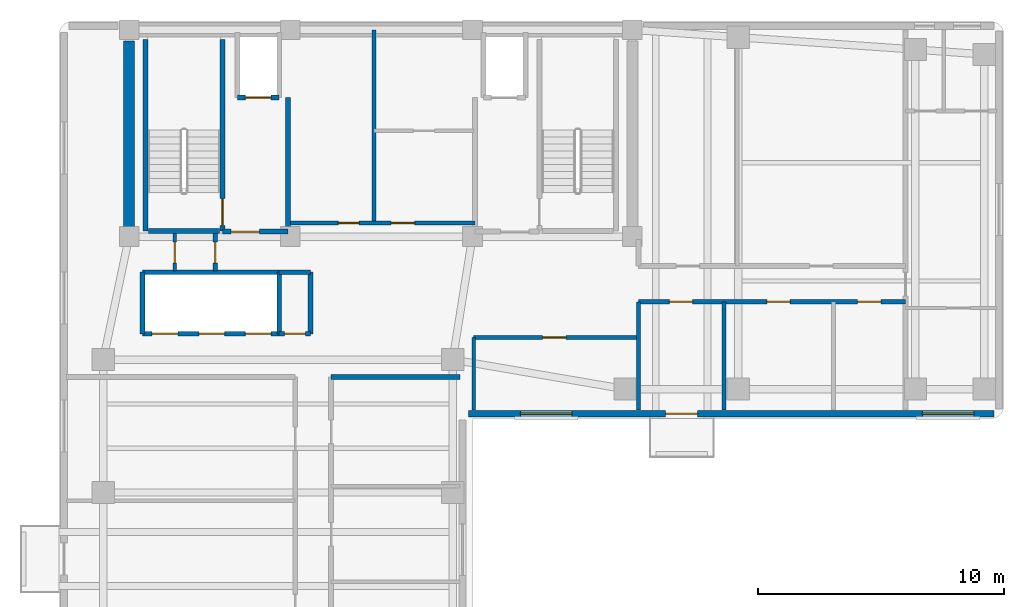
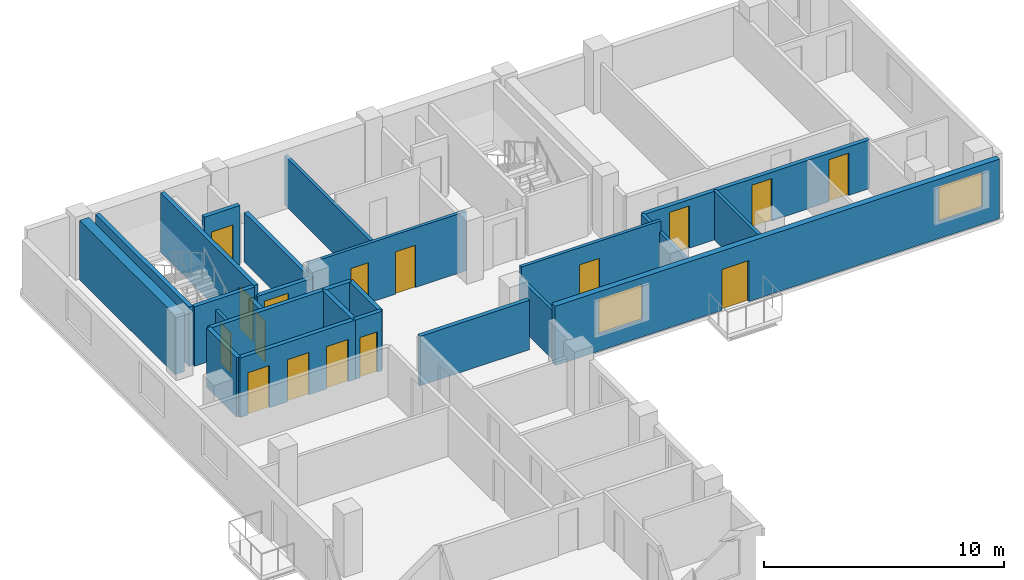
# One storey, part 3 of 7: 25 walls, 16 doors, 2 windows, 18 openings.
"""IFC4 building model written with IfcOpenShell, lengths in metres."""

import ifcopenshell
import ifcopenshell.guid

model = None  # the IFC model being written
_history = None  # IfcOwnerHistory: only IFC2X3 demands one
_inside = {}  # id of a spatial element -> (the spatial element, [elements in it])
_under = {}  # id of a project, library or spatial element -> (it, [spatial elements below it])
_declared = {}  # id of a project -> (the project, [libraries it declares])
_typed = {}  # id of a type object -> (the type object, [elements of that type])
_made_of = {}  # id of a material, layer set ... -> (it, [elements and type objects made of it])


def new_model(schema):
    """Start an empty IFC model of exactly this schema.

    Asked for "IFC4X3", IfcOpenShell would pick the latest addendum, in which some entities
    have other attributes; the version numbers below select the first issue.
    IFC2X3 requires an IfcOwnerHistory on every rooted entity: one is made here for all.
    """
    global model, _history
    if schema == "IFC4X3":
        model = ifcopenshell.file(schema_version=(4, 3, 0, 0))
    else:
        model = ifcopenshell.file(schema=schema)
    _inside.clear()
    _under.clear()
    _declared.clear()
    _typed.clear()
    _made_of.clear()
    _history = None
    if model.schema == "IFC2X3":
        org = make("IfcOrganization", Name="unknown")
        user = make(
            "IfcPersonAndOrganization",
            ThePerson=make("IfcPerson", FamilyName="unknown"),
            TheOrganization=org,
        )
        app = make(
            "IfcApplication",
            ApplicationDeveloper=org,
            Version="unknown",
            ApplicationFullName="unknown",
            ApplicationIdentifier="unknown",
        )
        _history = make(
            "IfcOwnerHistory",
            OwningUser=user,
            OwningApplication=app,
            ChangeAction="ADDED",
            CreationDate=0,
        )
    return model


def make(cls, **values):
    """One entity of the class cls with the attributes given. An attribute that is None is left unset."""
    return model.create_entity(
        cls, **{name: value for name, value in values.items() if value is not None}
    )


def rooted(cls, **values):
    """An entity with a GlobalId (a new one), such as an element, a storey or a relation."""
    return make(cls, GlobalId=ifcopenshell.guid.new(), OwnerHistory=_history, **values)


def si_unit(unit_type, name, prefix=None):
    """IfcSIUnit, for example si_unit("LENGTHUNIT", "METRE", prefix="MILLI")."""
    return make("IfcSIUnit", UnitType=unit_type, Prefix=prefix, Name=name)


def assignment(units):
    """IfcUnitAssignment: the units of a project."""
    return None if units is None else make("IfcUnitAssignment", Units=units)


def point(xyz):
    """IfcCartesianPoint."""
    return None if xyz is None else make("IfcCartesianPoint", Coordinates=xyz)


def direction(xyz):
    """IfcDirection."""
    return None if xyz is None else make("IfcDirection", DirectionRatios=xyz)


def frame(location, z_axis=None, x_axis=None):
    """IfcAxis2Placement3D, a coordinate frame: its origin and axes. An axis left out is left unset."""
    return make(
        "IfcAxis2Placement3D",
        Location=point(location),
        Axis=direction(z_axis),
        RefDirection=direction(x_axis),
    )


def frame_2d(location, x_axis=None):
    """IfcAxis2Placement2D, a coordinate frame in the plane: its origin and x axis."""
    return make(
        "IfcAxis2Placement2D", Location=point(location), RefDirection=direction(x_axis)
    )


def origin():
    """The frame at (0, 0, 0) with its axes left unset."""
    return frame((0.0, 0.0, 0.0))


def place(relative_to, where):
    """IfcLocalPlacement: puts the frame where relative to a parent placement (None: the world)."""
    return make(
        "IfcLocalPlacement", PlacementRelTo=relative_to, RelativePlacement=where
    )


def context(
    kind, dimensions, precision=None, world=None, true_north=None, identifier=None
):
    """IfcGeometricRepresentationContext, for example the 3D "Model" context."""
    return make(
        "IfcGeometricRepresentationContext",
        ContextIdentifier=identifier,
        ContextType=kind,
        CoordinateSpaceDimension=dimensions,
        Precision=precision,
        WorldCoordinateSystem=world,
        TrueNorth=true_north,
    )


def subcontext(parent, identifier, kind, view, scale=None):
    """IfcGeometricRepresentationSubContext, for example "Body" below "Model"."""
    return make(
        "IfcGeometricRepresentationSubContext",
        ContextIdentifier=identifier,
        ContextType=kind,
        ParentContext=parent,
        TargetScale=scale,
        TargetView=view,
    )


def project(units=None, contexts=None):
    """IfcProject with its units and contexts."""
    return rooted(
        "IfcProject",
        Name="project",
        RepresentationContexts=contexts,
        UnitsInContext=assignment(units),
    )


def spatial(cls, under=None, at=None, **own):
    """A site, building, storey or space (cls), placed at a placement, below another one or the project."""
    s = rooted(cls, ObjectPlacement=at, **own)
    if under is not None:
        _under.setdefault(under.id(), (under, []))[1].append(s)
    return s


def profile(cls, at=None, kind="AREA", **sizes):
    """A parametric profile (cls). Its sizes go by their IFC names, for example OverallWidth=200.0."""
    return make(cls, ProfileType=kind, Position=at, **sizes)


def rectangle(**sizes):
    """IfcRectangleProfileDef."""
    return profile("IfcRectangleProfileDef", **sizes)


def extrude(swept, where, along, depth):
    """IfcExtrudedAreaSolid: the profile swept, set in the frame where, extruded along a direction by depth."""
    return make(
        "IfcExtrudedAreaSolid",
        SweptArea=swept,
        Position=where,
        ExtrudedDirection=direction(along),
        Depth=depth,
    )


def shape(context_of_items, identifier, shape_type, items):
    """IfcShapeRepresentation: the items that make up one representation, for example the "Body"."""
    return make(
        "IfcShapeRepresentation",
        ContextOfItems=context_of_items,
        RepresentationIdentifier=identifier,
        RepresentationType=shape_type,
        Items=items,
    )


def material(Name=None, Category=None):
    """IfcMaterial."""
    return make("IfcMaterial", Name=Name, Category=Category)


def layer(
    of_material, thickness, ventilated=None, Name=None, Category=None, Priority=None
):
    """IfcMaterialLayer: one layer of a wall or slab, of a material (None: an air gap)."""
    return make(
        "IfcMaterialLayer",
        Material=of_material,
        LayerThickness=thickness,
        IsVentilated=ventilated,
        Name=Name,
        Category=Category,
        Priority=Priority,
    )


def layer_set(layers, Name=None):
    """IfcMaterialLayerSet."""
    return make("IfcMaterialLayerSet", MaterialLayers=layers, LayerSetName=Name)


def made_of(thing, what):
    """Note that an element or type object is made of a material, layer set ...; save() writes the relation."""
    if what is not None:
        _made_of.setdefault(what.id(), (what, []))[1].append(thing)
    return thing


def type_object(cls, material=None, **own):
    """A type object (cls), such as IfcWallType, which elements share."""
    return made_of(rooted(cls, **own), material)


def element(
    cls,
    number,
    at=None,
    inside=None,
    cuts=None,
    type_object=None,
    material=None,
    context=None,
    identifier="Body",
    shape_type=None,
    held_by="IfcProductDefinitionShape",
    body=None,
    shapes=None,
    **own,
):
    """One element of the class cls, such as IfcWall. Its Tag is "e" and its number.

    at: its placement. inside: the storey or other place that contains it. cuts: it is an
    opening in that element (IfcRelVoidsElement). A single representation is given by context,
    identifier, shape_type and body (its items); several are given by shapes. held_by: the class
    of the entity that holds the representations. save() writes the other relations.
    """
    e = rooted(cls, Tag="e%d" % number, ObjectPlacement=at, **own)
    if body is not None:
        shapes = [shape(context, identifier, shape_type, body)]
    if shapes is not None:
        e.Representation = make(held_by, Representations=shapes)
    if inside is not None:
        _inside.setdefault(inside.id(), (inside, []))[1].append(e)
    if cuts is not None:
        rooted(
            "IfcRelVoidsElement", RelatingBuildingElement=cuts, RelatedOpeningElement=e
        )
    if type_object is not None:
        _typed.setdefault(type_object.id(), (type_object, []))[1].append(e)
    return made_of(e, material)


def fill(opening, filler):
    """IfcRelFillsElement: the door or window that sits in an opening."""
    return rooted(
        "IfcRelFillsElement",
        RelatingOpeningElement=opening,
        RelatedBuildingElement=filler,
    )


def aggregate(whole, parts):
    """IfcRelAggregates: a whole, such as a stair, and the parts it consists of."""
    return rooted("IfcRelAggregates", RelatingObject=whole, RelatedObjects=parts)


def save(model, path):
    """Write the relations noted so far, then the file.

    IfcRelAggregates (storeys below a building ...), IfcRelContainedInSpatialStructure (elements
    in a storey), IfcRelDefinesByType, IfcRelAssociatesMaterial and IfcRelDeclares: one each for
    every whole, place, type object, material and project.
    """
    for whole, parts in _under.values():
        aggregate(whole, parts)
    for where, things in _inside.values():
        rooted(
            "IfcRelContainedInSpatialStructure",
            RelatedElements=things,
            RelatingStructure=where,
        )
    for kind, things in _typed.values():
        rooted("IfcRelDefinesByType", RelatedObjects=things, RelatingType=kind)
    for what, things in _made_of.values():
        rooted("IfcRelAssociatesMaterial", RelatedObjects=things, RelatingMaterial=what)
    for by, libraries in _declared.values():
        rooted("IfcRelDeclares", RelatingContext=by, RelatedDefinitions=libraries)
    model.write(path)


model = new_model("IFC4")

# Units and contexts
model_context = context("Model", 3, precision=1e-05, world=origin(), true_north=direction((0.0, 1.0)))
body_context = subcontext(model_context, "Body", "Model", "MODEL_VIEW")
ifc_project = project(units=[si_unit("LENGTHUNIT", "METRE"), si_unit("AREAUNIT", "SQUARE_METRE"), si_unit("VOLUMEUNIT", "CUBIC_METRE"), si_unit("PLANEANGLEUNIT", "RADIAN"), si_unit("MASSUNIT", "GRAM", prefix="KILO")], contexts=[model_context])

# Site, building, storey
site_placement = place(None, origin())
site = spatial("IfcSite", under=ifc_project, at=site_placement, CompositionType="ELEMENT")
building_placement = place(site_placement, origin())
building = spatial("IfcBuilding", under=site, at=building_placement, Name="Kuzgunbayir Cultural Tower", CompositionType="ELEMENT")
storey_placement = place(building_placement, frame((0.0, 0.0, 201.60009765625)))
storey = spatial("IfcBuildingStorey", under=building, at=storey_placement, Name="L59", CompositionType="ELEMENT", Elevation=201.60009765625)

# Wall
ifc_material_1 = material(Name="Concrete C50/60", Category="concrete")
ifc_layer_1 = layer(ifc_material_1, 0.449951171875)
ifc_layer_set_1 = layer_set([ifc_layer_1], Name="Concrete C50/60")
wall_type_1 = type_object("IfcWallType", Name="WAL-CORE-450", PredefinedType="SHEAR", material=ifc_layer_set_1)
wall_1_placement = place(storey_placement, frame((6.449951171875, 33.800048828125, 0.0), z_axis=(0.0, 0.0, 1.0), x_axis=(0.0, 1.0, 0.0)))
element("IfcWall", 1, at=wall_1_placement, inside=storey, type_object=wall_type_1, Name="L59 T1 Core West Shear Wall", PredefinedType="SHEAR", context=body_context, shape_type="SweptSolid", body=[
    extrude(rectangle(XDim=7.949951171875, YDim=0.449951171875, at=frame_2d((3.97509765625, 0.0))), origin(), (0.0, 0.0, 1.0), 3.02001953125),
])

# Wall, openings, door, windows
ifc_material_2 = material(Name="Anatolian Cream Limestone", Category="masonry")
ifc_layer_2 = layer(ifc_material_2, 0.280029296875)
ifc_layer_set_2 = layer_set([ifc_layer_2], Name="Anatolian Cream Limestone")
wall_type_2 = type_object("IfcWallType", Name="WAL-EXT-STONE-280", PredefinedType="STANDARD", material=ifc_layer_set_2)
wall_2_placement = place(storey_placement, frame((20.25, 26.60009765625, 0.0), z_axis=(0.0, 0.0, 1.0), x_axis=(1.0, 0.0, 0.0)))
wall_2 = element("IfcWall", 2, at=wall_2_placement, inside=storey, type_object=wall_type_2, Name="L59 Wing B South Limestone Wall", PredefinedType="STANDARD", context=body_context, shape_type="SweptSolid", body=[
    extrude(rectangle(XDim=21.35009765625, YDim=0.280029296875, at=frame_2d((10.675048828125, 0.0))), origin(), (0.0, 0.0, 1.0), 3.02001953125),
])
opening_1_placement = place(wall_2_placement, frame((8.0, 0.0, 0.0)))
opening_1 = element("IfcOpeningElement", 3, at=opening_1_placement, cuts=wall_2, Name="Opening BD-13", PredefinedType="OPENING", context=body_context, shape_type="SweptSolid", body=[
    extrude(rectangle(XDim=1.300048828125, YDim=2.080078125, at=frame_2d((0.64990234375, 1.0400390625))), frame((0.0, 0.14990234375, 0.0), z_axis=(0.0, -1.0, 0.0), x_axis=(1.0, 0.0, 0.0)), (0.0, 0.0, 1.0), 0.300048828125),
])
opening_2_placement = place(wall_2_placement, frame((18.429931640625, 0.0, 0.85009765625)))
opening_2 = element("IfcOpeningElement", 4, at=opening_2_placement, cuts=wall_2, Name="Opening WR-21", PredefinedType="OPENING", context=body_context, shape_type="SweptSolid", body=[
    extrude(rectangle(XDim=2.10009765625, YDim=1.800048828125, at=frame_2d((1.050048828125, 0.89990234375))), frame((0.0, 0.14990234375, 0.0), z_axis=(0.0, -1.0, 0.0), x_axis=(1.0, 0.0, 0.0)), (0.0, 0.0, 1.0), 0.300048828125),
])
opening_3_placement = place(wall_2_placement, frame((2.10009765625, 0.0, 0.85009765625)))
opening_3 = element("IfcOpeningElement", 5, at=opening_3_placement, cuts=wall_2, Name="Opening WR-21", PredefinedType="OPENING", context=body_context, shape_type="SweptSolid", body=[
    extrude(rectangle(XDim=2.10009765625, YDim=1.800048828125, at=frame_2d((1.050048828125, 0.89990234375))), frame((0.0, 0.14990234375, 0.0), z_axis=(0.0, -1.0, 0.0), x_axis=(1.0, 0.0, 0.0)), (0.0, 0.0, 1.0), 0.300048828125),
])
ifc_material_3 = material(Name="Thermally Broken Glazed Aluminium", Category="aluminium")
door_type_1 = type_object("IfcDoorType", Name="DR-BALCONY-135", OperationType="SLIDING_TO_LEFT", PredefinedType="DOOR", material=ifc_material_3)
door_1_placement = place(opening_1_placement, origin())
door_1 = element("IfcDoor", 6, at=door_1_placement, inside=storey, type_object=door_type_1, Name="L59 South Balcony Sliding Door BAL-L59-WB1", OperationType="SLIDING_TO_LEFT", OverallHeight=2.080078125, OverallWidth=1.300048828125, PredefinedType="DOOR", context=body_context, shape_type="SweptSolid", body=[
    extrude(rectangle(XDim=1.300048828125, YDim=2.080078125, at=frame_2d((0.64990234375, 1.0400390625))), frame((0.0, 0.02490234375, 0.0), z_axis=(0.0, -1.0, 0.0), x_axis=(1.0, 0.0, 0.0)), (0.0, 0.0, 1.0), 0.050048828125),
])
fill(opening_1, door_1)
ifc_material_4 = material(Name="Solar-Control Triple Glazing", Category="glass")
window_type = type_object("IfcWindowType", Name="WIN-RESID-21", PartitioningType="SINGLE_PANEL", PredefinedType="WINDOW", material=ifc_material_4)
window_1_placement = place(opening_2_placement, origin())
window_1 = element("IfcWindow", 7, at=window_1_placement, inside=storey, type_object=window_type, Name="L59 WBS Facade Window 6", OverallHeight=1.800048828125, OverallWidth=2.10009765625, PartitioningType="SINGLE_PANEL", PredefinedType="WINDOW", context=body_context, shape_type="SweptSolid", body=[
    extrude(rectangle(XDim=2.10009765625, YDim=1.800048828125, at=frame_2d((1.050048828125, 0.89990234375))), frame((0.0, 0.030029296875, 0.0), z_axis=(0.0, -1.0, 0.0), x_axis=(1.0, 0.0, 0.0)), (0.0, 0.0, 1.0), 0.06005859375),
])
fill(opening_2, window_1)
window_2_placement = place(opening_3_placement, origin())
window_2 = element("IfcWindow", 8, at=window_2_placement, inside=storey, type_object=window_type, Name="L59 WBS Facade Window 15", OverallHeight=1.800048828125, OverallWidth=2.10009765625, PartitioningType="SINGLE_PANEL", PredefinedType="WINDOW", context=body_context, shape_type="SweptSolid", body=[
    extrude(rectangle(XDim=2.10009765625, YDim=1.800048828125, at=frame_2d((1.050048828125, 0.89990234375))), frame((0.0, 0.030029296875, 0.0), z_axis=(0.0, -1.0, 0.0), x_axis=(1.0, 0.0, 0.0)), (0.0, 0.0, 1.0), 0.06005859375),
])
fill(opening_3, window_2)

# Wall, opening, door
ifc_material_5 = material(Name="Acoustic Double-Stud Drywall", Category="gypsum")
ifc_layer_3 = layer(ifc_material_5, 0.14990234375)
ifc_layer_set_3 = layer_set([ifc_layer_3], Name="Acoustic Double-Stud Drywall")
wall_type_3 = type_object("IfcWallType", Name="WAL-PART-ACOUSTIC-150", PredefinedType="PARTITIONING", material=ifc_layer_set_3)
wall_3_placement = place(storey_placement, frame((8.300048828125, 32.39990234375, 0.0), z_axis=(0.0, 0.0, 1.0), x_axis=(0.0, 1.0, 0.0)))
wall_3 = element("IfcWall", 9, at=wall_3_placement, inside=storey, type_object=wall_type_3, Name="L59 West Core Closet Divider", PredefinedType="PARTITIONING", context=body_context, shape_type="SweptSolid", body=[
    extrude(rectangle(XDim=1.52001953125, YDim=0.14990234375, at=frame_2d((0.760009765625, 0.0))), origin(), (0.0, 0.0, 1.0), 2.510009765625),
])
opening_4_placement = place(wall_3_placement, frame((0.320068359375, 0.0, 0.0)))
opening_4 = element("IfcOpeningElement", 10, at=opening_4_placement, cuts=wall_3, Name="Opening DR-RSR-60", PredefinedType="OPENING", context=body_context, shape_type="SweptSolid", body=[
    extrude(rectangle(XDim=0.85009765625, YDim=2.050048828125, at=frame_2d((0.425048828125, 1.02490234375))), frame((0.0, 0.0849609375, 0.0), z_axis=(0.0, -1.0, 0.0), x_axis=(1.0, 0.0, 0.0)), (0.0, 0.0, 1.0), 0.169921875),
])
ifc_material_6 = material(Name="Steel Access Leaf", Category="steel")
door_type_2 = type_object("IfcDoorType", Name="DR-RISER-60", OperationType="NOTDEFINED", PredefinedType="DOOR", material=ifc_material_6)
door_2_placement = place(opening_4_placement, origin())
door_2 = element("IfcDoor", 11, at=door_2_placement, inside=storey, type_object=door_type_2, Name="L59 Sub-Meter Closet Door", OperationType="SINGLE_SWING_RIGHT", OverallHeight=2.050048828125, OverallWidth=0.85009765625, PredefinedType="DOOR", context=body_context, shape_type="SweptSolid", body=[
    extrude(rectangle(XDim=0.85009765625, YDim=2.050048828125, at=frame_2d((0.425048828125, 1.02490234375))), frame((0.0, 0.02490234375, 0.0), z_axis=(0.0, -1.0, 0.0), x_axis=(1.0, 0.0, 0.0)), (0.0, 0.0, 1.0), 0.050048828125),
])
fill(opening_4, door_2)

# Wall, openings, doors
wall_4_placement = place(storey_placement, frame((12.89990234375, 34.35009765625, 0.0), z_axis=(0.0, 0.0, 1.0), x_axis=(1.0, 0.0, 0.0)))
wall_4 = element("IfcWall", 12, at=wall_4_placement, inside=storey, type_object=wall_type_3, Name="L59 Sky Core South Wall", PredefinedType="PARTITIONING", context=body_context, shape_type="SweptSolid", body=[
    extrude(rectangle(XDim=7.60009765625, YDim=0.14990234375, at=frame_2d((3.800048828125, 0.0))), origin(), (0.0, 0.0, 1.0), 3.02001953125),
])
opening_5_placement = place(wall_4_placement, frame((2.050048828125, 0.0, 0.0)))
opening_5 = element("IfcOpeningElement", 13, at=opening_5_placement, cuts=wall_4, Name="Opening DC-85", PredefinedType="OPENING", context=body_context, shape_type="SweptSolid", body=[
    extrude(rectangle(XDim=0.85009765625, YDim=2.050048828125, at=frame_2d((0.425048828125, 1.02490234375))), frame((0.0, 0.0849609375, 0.0), z_axis=(0.0, -1.0, 0.0), x_axis=(1.0, 0.0, 0.0)), (0.0, 0.0, 1.0), 0.169921875),
])
opening_6_placement = place(wall_4_placement, frame((4.199951171875, 0.0, 0.0)))
opening_6 = element("IfcOpeningElement", 14, at=opening_6_placement, cuts=wall_4, Name="Opening DC-95", PredefinedType="OPENING", context=body_context, shape_type="SweptSolid", body=[
    extrude(rectangle(XDim=0.949951171875, YDim=2.14990234375, at=frame_2d((0.47509765625, 1.074951171875))), frame((0.0, 0.0849609375, 0.0), z_axis=(0.0, -1.0, 0.0), x_axis=(1.0, 0.0, 0.0)), (0.0, 0.0, 1.0), 0.169921875),
])
ifc_material_7 = material(Name="Fire-Rated Veneered Oak Leaf", Category="wood")
door_type_3 = type_object("IfcDoorType", Name="DR-CORE-85", OperationType="NOTDEFINED", PredefinedType="DOOR", material=ifc_material_7)
door_3_placement = place(opening_5_placement, origin())
door_3 = element("IfcDoor", 15, at=door_3_placement, inside=storey, type_object=door_type_3, Name="L59 Study Pod Door", OperationType="SINGLE_SWING_RIGHT", OverallHeight=2.050048828125, OverallWidth=0.85009765625, PredefinedType="DOOR", context=body_context, shape_type="SweptSolid", body=[
    extrude(rectangle(XDim=0.85009765625, YDim=2.050048828125, at=frame_2d((0.425048828125, 1.02490234375))), frame((0.0, 0.02490234375, 0.0), z_axis=(0.0, -1.0, 0.0), x_axis=(1.0, 0.0, 0.0)), (0.0, 0.0, 1.0), 0.050048828125),
])
fill(opening_5, door_3)
door_type_4 = type_object("IfcDoorType", Name="DR-CORE-95", OperationType="NOTDEFINED", PredefinedType="DOOR", material=ifc_material_7)
door_4_placement = place(opening_6_placement, origin())
door_4 = element("IfcDoor", 16, at=door_4_placement, inside=storey, type_object=door_type_4, Name="L59 Tea Salon Door", OperationType="SINGLE_SWING_LEFT", OverallHeight=2.14990234375, OverallWidth=0.949951171875, PredefinedType="DOOR", context=body_context, shape_type="SweptSolid", body=[
    extrude(rectangle(XDim=0.949951171875, YDim=2.14990234375, at=frame_2d((0.47509765625, 1.074951171875))), frame((0.0, 0.02490234375, 0.0), z_axis=(0.0, -1.0, 0.0), x_axis=(1.0, 0.0, 0.0)), (0.0, 0.0, 1.0), 0.050048828125),
])
fill(opening_6, door_4)

# Wall
wall_5_placement = place(storey_placement, frame((16.39990234375, 34.35009765625, 0.0), z_axis=(0.0, 0.0, 1.0), x_axis=(0.0, 1.0, 0.0)))
element("IfcWall", 17, at=wall_5_placement, inside=storey, type_object=wall_type_3, Name="L59 Sky Core Tri-Wall 1", PredefinedType="PARTITIONING", context=body_context, shape_type="SweptSolid", body=[
    extrude(rectangle(XDim=7.849853515625, YDim=0.14990234375, at=frame_2d((3.9248046875, 0.0))), origin(), (0.0, 0.0, 1.0), 2.510009765625),
])

# Wall, opening, door
wall_6_placement = place(storey_placement, frame((20.449951171875, 29.699951171875, 0.0), z_axis=(0.0, 0.0, 1.0), x_axis=(1.0, 0.0, 0.0)))
wall_6 = element("IfcWall", 18, at=wall_6_placement, inside=storey, type_object=wall_type_3, Name="L59 Waist Alcove North Wall", PredefinedType="PARTITIONING", context=body_context, shape_type="SweptSolid", body=[
    extrude(rectangle(XDim=6.699951171875, YDim=0.14990234375, at=frame_2d((3.35009765625, 0.0))), origin(), (0.0, 0.0, 1.0), 3.02001953125),
])
opening_7_placement = place(wall_6_placement, frame((2.800048828125, 0.0, 0.0)))
opening_7 = element("IfcOpeningElement", 19, at=opening_7_placement, cuts=wall_6, Name="Opening DI-90", PredefinedType="OPENING", context=body_context, shape_type="SweptSolid", body=[
    extrude(rectangle(XDim=0.949951171875, YDim=2.14990234375, at=frame_2d((0.47509765625, 1.074951171875))), frame((0.0, 0.0849609375, 0.0), z_axis=(0.0, -1.0, 0.0), x_axis=(1.0, 0.0, 0.0)), (0.0, 0.0, 1.0), 0.169921875),
])
ifc_material_8 = material(Name="Veneered Oak Single Leaf", Category="wood")
door_type_5 = type_object("IfcDoorType", Name="DR-INT-90", OperationType="NOTDEFINED", PredefinedType="DOOR", material=ifc_material_8)
door_5_placement = place(opening_7_placement, origin())
door_5 = element("IfcDoor", 20, at=door_5_placement, inside=storey, type_object=door_type_5, Name="L59 Waist Alcove Door", OperationType="SINGLE_SWING_RIGHT", OverallHeight=2.14990234375, OverallWidth=0.949951171875, PredefinedType="DOOR", context=body_context, shape_type="SweptSolid", body=[
    extrude(rectangle(XDim=0.949951171875, YDim=2.14990234375, at=frame_2d((0.47509765625, 1.074951171875))), frame((0.0, 0.02490234375, 0.0), z_axis=(0.0, -1.0, 0.0), x_axis=(1.0, 0.0, 0.0)), (0.0, 0.0, 1.0), 0.050048828125),
])
fill(opening_7, door_5)

# Walls
wall_7_placement = place(storey_placement, frame((20.449951171875, 26.75, 0.0), z_axis=(0.0, 0.0, 1.0), x_axis=(0.0, 1.0, 0.0)))
element("IfcWall", 21, at=wall_7_placement, inside=storey, type_object=wall_type_3, Name="L59 Waist Alcove West Wall", PredefinedType="PARTITIONING", context=body_context, shape_type="SweptSolid", body=[
    extrude(rectangle(XDim=2.949951171875, YDim=0.14990234375, at=frame_2d((1.47509765625, 0.0))), origin(), (0.0, 0.0, 1.0), 2.469970703125),
])
for number, where, z_axis, x_axis, name in (
    (22, (27.14990234375, 26.75, 0.0), (0.0, 0.0, 1.0), (0.0, 1.0, 0.0), "L59 Waist Alcove East Wall"),
    (23, (30.6201171875, 26.75, 0.0), (0.0, 0.0, 1.0), (0.0, 1.0, 0.0), "L59 Wing B South Divider 1"),
):
    element("IfcWall", number, at=place(storey_placement, frame(where, z_axis=z_axis, x_axis=x_axis)), inside=storey, type_object=wall_type_3, Name=name, PredefinedType="PARTITIONING", context=body_context, shape_type="SweptSolid", body=[
        extrude(rectangle(XDim=4.39990234375, YDim=0.14990234375, at=frame_2d((2.199951171875, 0.0))), origin(), (0.0, 0.0, 1.0), 2.469970703125),
    ])
ifc_material_9 = material(Name="Aerated Concrete Blockwork", Category="masonry")
ifc_layer_4 = layer(ifc_material_9, 0.199951171875)
ifc_layer_set_4 = layer_set([ifc_layer_4], Name="Aerated Concrete Blockwork")
wall_type_4 = type_object("IfcWallType", Name="WAL-PART-FIRE-200", PredefinedType="PARTITIONING", material=ifc_layer_set_4)
wall_8_placement = place(storey_placement, frame((12.89990234375, 34.0, 0.0), z_axis=(0.0, 0.0, 1.0), x_axis=(0.0, 1.0, 0.0)))
element("IfcWall", 24, at=wall_8_placement, inside=storey, type_object=wall_type_4, Name="L59 FFL-1 Lobby East Fire Wall", PredefinedType="PARTITIONING", context=body_context, shape_type="SweptSolid", body=[
    extrude(rectangle(XDim=5.449951171875, YDim=0.199951171875, at=frame_2d((2.72509765625, 0.0))), origin(), (0.0, 0.0, 1.0), 2.510009765625),
])

# Wall, opening, door
wall_9_placement = place(storey_placement, frame((10.239990234375, 34.0, 0.0), z_axis=(0.0, 0.0, 1.0), x_axis=(1.0, 0.0, 0.0)))
wall_9 = element("IfcWall", 25, at=wall_9_placement, inside=storey, type_object=wall_type_4, Name="L59 FFL-1 Lobby South Fire Wall", PredefinedType="PARTITIONING", context=body_context, shape_type="SweptSolid", body=[
    extrude(rectangle(XDim=2.659912109375, YDim=0.199951171875, at=frame_2d((1.330078125, 0.0))), origin(), (0.0, 0.0, 1.0), 2.510009765625),
])
opening_8_placement = place(wall_9_placement, frame((0.35009765625, 0.0, 0.0)))
opening_8 = element("IfcOpeningElement", 26, at=opening_8_placement, cuts=wall_9, Name="Opening DR-FFL-90", PredefinedType="OPENING", context=body_context, shape_type="SweptSolid", body=[
    extrude(rectangle(XDim=1.14990234375, YDim=2.14990234375, at=frame_2d((0.574951171875, 1.074951171875))), frame((0.0, 0.10986328125, 0.0), z_axis=(0.0, -1.0, 0.0), x_axis=(1.0, 0.0, 0.0)), (0.0, 0.0, 1.0), 0.219970703125),
])
ifc_material_10 = material(Name="Steel S355J2", Category="steel")
door_type_6 = type_object("IfcDoorType", Name="DR-FFL-90", OperationType="NOTDEFINED", PredefinedType="DOOR", material=ifc_material_10)
door_6_placement = place(opening_8_placement, origin())
door_6 = element("IfcDoor", 27, at=door_6_placement, inside=storey, type_object=door_type_6, Name="L59 Firefighting Lobby 1 Door", OperationType="SINGLE_SWING_LEFT", OverallHeight=2.14990234375, OverallWidth=1.14990234375, PredefinedType="DOOR", context=body_context, shape_type="SweptSolid", body=[
    extrude(rectangle(XDim=1.14990234375, YDim=2.14990234375, at=frame_2d((0.574951171875, 1.074951171875))), frame((0.0, 0.02490234375, 0.0), z_axis=(0.0, -1.0, 0.0), x_axis=(1.0, 0.0, 0.0)), (0.0, 0.0, 1.0), 0.050048828125),
])
fill(opening_8, door_6)

wall_10_placement = place(storey_placement, frame((9.949951171875, 32.39990234375, 0.0), z_axis=(0.0, 0.0, 1.0), x_axis=(0.0, 1.0, 0.0)))
wall_10 = element("IfcWall", 28, at=wall_10_placement, inside=storey, type_object=wall_type_4, Name="L59 West Core Service Closet Wall", PredefinedType="PARTITIONING", context=body_context, shape_type="SweptSolid", body=[
    extrude(rectangle(XDim=1.52001953125, YDim=0.199951171875, at=frame_2d((0.760009765625, 0.0))), origin(), (0.0, 0.0, 1.0), 2.510009765625),
])
opening_9_placement = place(wall_10_placement, frame((0.320068359375, 0.0, 0.0)))
opening_9 = element("IfcOpeningElement", 29, at=opening_9_placement, cuts=wall_10, Name="Opening DR-RSR-60", PredefinedType="OPENING", context=body_context, shape_type="SweptSolid", body=[
    extrude(rectangle(XDim=0.85009765625, YDim=2.050048828125, at=frame_2d((0.425048828125, 1.02490234375))), frame((0.0, 0.10986328125, 0.0), z_axis=(0.0, -1.0, 0.0), x_axis=(1.0, 0.0, 0.0)), (0.0, 0.0, 1.0), 0.219970703125),
])
door_7_placement = place(opening_9_placement, origin())
door_7 = element("IfcDoor", 30, at=door_7_placement, inside=storey, type_object=door_type_2, Name="L59 Cleaner Store Door", OperationType="SINGLE_SWING_LEFT", OverallHeight=2.050048828125, OverallWidth=0.85009765625, PredefinedType="DOOR", context=body_context, shape_type="SweptSolid", body=[
    extrude(rectangle(XDim=0.85009765625, YDim=2.050048828125, at=frame_2d((0.425048828125, 1.02490234375))), frame((0.0, 0.02490234375, 0.0), z_axis=(0.0, -1.0, 0.0), x_axis=(1.0, 0.0, 0.0)), (0.0, 0.0, 1.0), 0.050048828125),
])
fill(opening_9, door_7)

wall_11_placement = place(storey_placement, frame((12.550048828125, 29.85009765625, 0.0), z_axis=(0.0, 0.0, 1.0), x_axis=(1.0, 0.0, 0.0)))
wall_11 = element("IfcWall", 31, at=wall_11_placement, inside=storey, type_object=wall_type_4, Name="L59 Center Core Switchgear South Wall", PredefinedType="PARTITIONING", context=body_context, shape_type="SweptSolid", body=[
    extrude(rectangle(XDim=1.27001953125, YDim=0.199951171875, at=frame_2d((0.635009765625, 0.0))), origin(), (0.0, 0.0, 1.0), 3.02001953125),
])
opening_10_placement = place(wall_11_placement, frame((0.2099609375, 0.0, 0.0)))
opening_10 = element("IfcOpeningElement", 32, at=opening_10_placement, cuts=wall_11, Name="Opening DR-RSR-60", PredefinedType="OPENING", context=body_context, shape_type="SweptSolid", body=[
    extrude(rectangle(XDim=0.85009765625, YDim=2.050048828125, at=frame_2d((0.425048828125, 1.02490234375))), frame((0.0, 0.10986328125, 0.0), z_axis=(0.0, -1.0, 0.0), x_axis=(1.0, 0.0, 0.0)), (0.0, 0.0, 1.0), 0.219970703125),
])
door_8_placement = place(opening_10_placement, origin())
door_8 = element("IfcDoor", 33, at=door_8_placement, inside=storey, type_object=door_type_2, Name="L59 Telecom Closet Door", OperationType="SINGLE_SWING_LEFT", OverallHeight=2.050048828125, OverallWidth=0.85009765625, PredefinedType="DOOR", context=body_context, shape_type="SweptSolid", body=[
    extrude(rectangle(XDim=0.85009765625, YDim=2.050048828125, at=frame_2d((0.425048828125, 1.02490234375))), frame((0.0, 0.02490234375, 0.0), z_axis=(0.0, -1.0, 0.0), x_axis=(1.0, 0.0, 0.0)), (0.0, 0.0, 1.0), 0.050048828125),
])
fill(opening_10, door_8)

# Walls
wall_12_placement = place(storey_placement, frame((13.820068359375, 29.85009765625, 0.0), z_axis=(0.0, 0.0, 1.0), x_axis=(0.0, 1.0, 0.0)))
element("IfcWall", 34, at=wall_12_placement, inside=storey, type_object=wall_type_4, Name="L59 Center Core Switchgear East Wall", PredefinedType="PARTITIONING", context=body_context, shape_type="SweptSolid", body=[
    extrude(rectangle(XDim=2.5, YDim=0.199951171875, at=frame_2d((1.25, 0.0))), origin(), (0.0, 0.0, 1.0), 3.02001953125),
])
wall_13_placement = place(storey_placement, frame((12.550048828125, 32.35009765625, 0.0), z_axis=(0.0, 0.0, 1.0), x_axis=(1.0, 0.0, 0.0)))
element("IfcWall", 35, at=wall_13_placement, inside=storey, type_object=wall_type_4, Name="L59 Center Core Switchgear North Wall", PredefinedType="PARTITIONING", context=body_context, shape_type="SweptSolid", body=[
    extrude(rectangle(XDim=1.27001953125, YDim=0.199951171875, at=frame_2d((0.635009765625, 0.0))), origin(), (0.0, 0.0, 1.0), 3.02001953125),
])
wall_14_placement = place(storey_placement, frame((14.659912109375, 28.10009765625, 0.0), z_axis=(0.0, 0.0, 1.0), x_axis=(1.0, 0.0, 0.0)))
element("IfcWall", 36, at=wall_14_placement, inside=storey, type_object=wall_type_4, Name="L59 North East Partition", PredefinedType="PARTITIONING", context=body_context, shape_type="SweptSolid", body=[
    extrude(rectangle(XDim=5.239990234375, YDim=0.199951171875, at=frame_2d((2.6201171875, 0.0))), origin(), (0.0, 0.0, 1.0), 2.510009765625),
])

# Wall, openings, doors
wall_15_placement = place(storey_placement, frame((27.14990234375, 31.14990234375, 0.0), z_axis=(0.0, 0.0, 1.0), x_axis=(1.0, 0.0, 0.0)))
wall_15 = element("IfcWall", 37, at=wall_15_placement, inside=storey, type_object=wall_type_4, Name="L59 Wing B Residence Corridor South Wall", PredefinedType="PARTITIONING", context=body_context, shape_type="SweptSolid", body=[
    extrude(rectangle(XDim=10.85009765625, YDim=0.199951171875, at=frame_2d((5.425048828125, 0.0))), origin(), (0.0, 0.0, 1.0), 2.469970703125),
])
opening_11_placement = place(wall_15_placement, frame((1.25, 0.0, 0.0)))
opening_11 = element("IfcOpeningElement", 38, at=opening_11_placement, cuts=wall_15, Name="Opening DI-90", PredefinedType="OPENING", context=body_context, shape_type="SweptSolid", body=[
    extrude(rectangle(XDim=0.949951171875, YDim=2.14990234375, at=frame_2d((0.47509765625, 1.074951171875))), frame((0.0, 0.10986328125, 0.0), z_axis=(0.0, -1.0, 0.0), x_axis=(1.0, 0.0, 0.0)), (0.0, 0.0, 1.0), 0.219970703125),
])
opening_12_placement = place(wall_15_placement, frame((5.2099609375, 0.0, 0.0)))
opening_12 = element("IfcOpeningElement", 39, at=opening_12_placement, cuts=wall_15, Name="Opening DI-90", PredefinedType="OPENING", context=body_context, shape_type="SweptSolid", body=[
    extrude(rectangle(XDim=0.949951171875, YDim=2.14990234375, at=frame_2d((0.47509765625, 1.074951171875))), frame((0.0, 0.10986328125, 0.0), z_axis=(0.0, -1.0, 0.0), x_axis=(1.0, 0.0, 0.0)), (0.0, 0.0, 1.0), 0.219970703125),
])
opening_13_placement = place(wall_15_placement, frame((8.89990234375, 0.0, 0.0)))
opening_13 = element("IfcOpeningElement", 40, at=opening_13_placement, cuts=wall_15, Name="Opening DI-90", PredefinedType="OPENING", context=body_context, shape_type="SweptSolid", body=[
    extrude(rectangle(XDim=0.949951171875, YDim=2.14990234375, at=frame_2d((0.47509765625, 1.074951171875))), frame((0.0, 0.10986328125, 0.0), z_axis=(0.0, -1.0, 0.0), x_axis=(1.0, 0.0, 0.0)), (0.0, 0.0, 1.0), 0.219970703125),
])
door_9_placement = place(opening_11_placement, origin())
door_9 = element("IfcDoor", 41, at=door_9_placement, inside=storey, type_object=door_type_5, Name="L59 Wing B Fellows Reading Lounge 1 Door", OperationType="SINGLE_SWING_LEFT", OverallHeight=2.14990234375, OverallWidth=0.949951171875, PredefinedType="DOOR", context=body_context, shape_type="SweptSolid", body=[
    extrude(rectangle(XDim=0.949951171875, YDim=2.14990234375, at=frame_2d((0.47509765625, 1.074951171875))), frame((0.0, 0.02490234375, 0.0), z_axis=(0.0, -1.0, 0.0), x_axis=(1.0, 0.0, 0.0)), (0.0, 0.0, 1.0), 0.050048828125),
])
fill(opening_11, door_9)
door_10_placement = place(opening_12_placement, origin())
door_10 = element("IfcDoor", 42, at=door_10_placement, inside=storey, type_object=door_type_5, Name="L59 Wing B Fellows Reading Lounge 2 Door", OperationType="SINGLE_SWING_RIGHT", OverallHeight=2.14990234375, OverallWidth=0.949951171875, PredefinedType="DOOR", context=body_context, shape_type="SweptSolid", body=[
    extrude(rectangle(XDim=0.949951171875, YDim=2.14990234375, at=frame_2d((0.47509765625, 1.074951171875))), frame((0.0, 0.02490234375, 0.0), z_axis=(0.0, -1.0, 0.0), x_axis=(1.0, 0.0, 0.0)), (0.0, 0.0, 1.0), 0.050048828125),
])
fill(opening_12, door_10)
door_11_placement = place(opening_13_placement, origin())
door_11 = element("IfcDoor", 43, at=door_11_placement, inside=storey, type_object=door_type_5, Name="L59 Wing B Fellows Reading Lounge 3 Door", OperationType="SINGLE_SWING_LEFT", OverallHeight=2.14990234375, OverallWidth=0.949951171875, PredefinedType="DOOR", context=body_context, shape_type="SweptSolid", body=[
    extrude(rectangle(XDim=0.949951171875, YDim=2.14990234375, at=frame_2d((0.47509765625, 1.074951171875))), frame((0.0, 0.02490234375, 0.0), z_axis=(0.0, -1.0, 0.0), x_axis=(1.0, 0.0, 0.0)), (0.0, 0.0, 1.0), 0.050048828125),
])
fill(opening_13, door_11)

ifc_material_11 = material(Name="Concrete C40/50", Category="concrete")
ifc_layer_5 = layer(ifc_material_11, 0.199951171875)
ifc_layer_set_5 = layer_set([ifc_layer_5], Name="Concrete C40/50")
wall_type_5 = type_object("IfcWallType", Name="WAL-SHAFT-200", PredefinedType="MOVABLE", material=ifc_layer_set_5)
wall_16_placement = place(storey_placement, frame((7.0, 29.85009765625, 0.0), z_axis=(0.0, 0.0, 1.0), x_axis=(1.0, 0.0, 0.0)))
wall_16 = element("IfcWall", 44, at=wall_16_placement, inside=storey, type_object=wall_type_5, Name="L59 High-Rise Lift Shaft South Wall", PredefinedType="MOVABLE", context=body_context, shape_type="SweptSolid", body=[
    extrude(rectangle(XDim=5.550048828125, YDim=0.199951171875, at=frame_2d((2.77490234375, 0.0))), origin(), (0.0, 0.0, 1.0), 3.02001953125),
])
opening_14_placement = place(wall_16_placement, frame((0.3798828125, 0.0, 0.0)))
opening_14 = element("IfcOpeningElement", 45, at=opening_14_placement, cuts=wall_16, Name="Opening LD", PredefinedType="OPENING", context=body_context, shape_type="SweptSolid", body=[
    extrude(rectangle(XDim=1.050048828125, YDim=2.14990234375, at=frame_2d((0.52490234375, 1.074951171875))), frame((0.0, 0.10986328125, 0.0), z_axis=(0.0, -1.0, 0.0), x_axis=(1.0, 0.0, 0.0)), (0.0, 0.0, 1.0), 0.219970703125),
])
opening_15_placement = place(wall_16_placement, frame((2.280029296875, 0.0, 0.0)))
opening_15 = element("IfcOpeningElement", 46, at=opening_15_placement, cuts=wall_16, Name="Opening LD", PredefinedType="OPENING", context=body_context, shape_type="SweptSolid", body=[
    extrude(rectangle(XDim=1.050048828125, YDim=2.14990234375, at=frame_2d((0.52490234375, 1.074951171875))), frame((0.0, 0.10986328125, 0.0), z_axis=(0.0, -1.0, 0.0), x_axis=(1.0, 0.0, 0.0)), (0.0, 0.0, 1.0), 0.219970703125),
])
opening_16_placement = place(wall_16_placement, frame((4.169921875, 0.0, 0.0)))
opening_16 = element("IfcOpeningElement", 47, at=opening_16_placement, cuts=wall_16, Name="Opening LD", PredefinedType="OPENING", context=body_context, shape_type="SweptSolid", body=[
    extrude(rectangle(XDim=1.050048828125, YDim=2.14990234375, at=frame_2d((0.52490234375, 1.074951171875))), frame((0.0, 0.10986328125, 0.0), z_axis=(0.0, -1.0, 0.0), x_axis=(1.0, 0.0, 0.0)), (0.0, 0.0, 1.0), 0.219970703125),
])
ifc_material_12 = material(Name="Brushed Stainless Steel", Category="steel")
door_type_7 = type_object("IfcDoorType", Name="DR-LIFT-LANDING", OperationType="SLIDING_TO_LEFT", PredefinedType="DOOR", material=ifc_material_12)
door_12_placement = place(opening_14_placement, origin())
door_12 = element("IfcDoor", 48, at=door_12_placement, inside=storey, type_object=door_type_7, Name="L59 Lift PH-1 Landing Door", OperationType="SLIDING_TO_LEFT", OverallHeight=2.14990234375, OverallWidth=1.050048828125, PredefinedType="DOOR", context=body_context, shape_type="SweptSolid", body=[
    extrude(rectangle(XDim=1.050048828125, YDim=2.14990234375, at=frame_2d((0.52490234375, 1.074951171875))), frame((0.0, 0.02490234375, 0.0), z_axis=(0.0, -1.0, 0.0), x_axis=(1.0, 0.0, 0.0)), (0.0, 0.0, 1.0), 0.050048828125),
])
fill(opening_14, door_12)
door_13_placement = place(opening_15_placement, origin())
door_13 = element("IfcDoor", 49, at=door_13_placement, inside=storey, type_object=door_type_7, Name="L59 Lift PH-2 Landing Door", OperationType="SLIDING_TO_LEFT", OverallHeight=2.14990234375, OverallWidth=1.050048828125, PredefinedType="DOOR", context=body_context, shape_type="SweptSolid", body=[
    extrude(rectangle(XDim=1.050048828125, YDim=2.14990234375, at=frame_2d((0.52490234375, 1.074951171875))), frame((0.0, 0.02490234375, 0.0), z_axis=(0.0, -1.0, 0.0), x_axis=(1.0, 0.0, 0.0)), (0.0, 0.0, 1.0), 0.050048828125),
])
fill(opening_15, door_13)
door_14_placement = place(opening_16_placement, origin())
door_14 = element("IfcDoor", 50, at=door_14_placement, inside=storey, type_object=door_type_7, Name="L59 Lift PH-3 Landing Door", OperationType="SLIDING_TO_LEFT", OverallHeight=2.14990234375, OverallWidth=1.050048828125, PredefinedType="DOOR", context=body_context, shape_type="SweptSolid", body=[
    extrude(rectangle(XDim=1.050048828125, YDim=2.14990234375, at=frame_2d((0.52490234375, 1.074951171875))), frame((0.0, 0.02490234375, 0.0), z_axis=(0.0, -1.0, 0.0), x_axis=(1.0, 0.0, 0.0)), (0.0, 0.0, 1.0), 0.050048828125),
])
fill(opening_16, door_14)

# Walls
wall_17_placement = place(storey_placement, frame((7.0, 32.35009765625, 0.0), z_axis=(0.0, 0.0, 1.0), x_axis=(1.0, 0.0, 0.0)))
element("IfcWall", 51, at=wall_17_placement, inside=storey, type_object=wall_type_5, Name="L59 High-Rise Lift Shaft North Wall", PredefinedType="MOVABLE", context=body_context, shape_type="SweptSolid", body=[
    extrude(rectangle(XDim=5.550048828125, YDim=0.199951171875, at=frame_2d((2.77490234375, 0.0))), origin(), (0.0, 0.0, 1.0), 3.02001953125),
])
for number, where, z_axis, x_axis, name in (
    (52, (7.0, 29.85009765625, 0.0), (0.0, 0.0, 1.0), (0.0, 1.0, 0.0), "L59 High-Rise Lift Shaft West Wall"),
    (53, (12.550048828125, 29.85009765625, 0.0), (0.0, 0.0, 1.0), (0.0, 1.0, 0.0), "L59 High-Rise Lift Shaft East Wall"),
):
    element("IfcWall", number, at=place(storey_placement, frame(where, z_axis=z_axis, x_axis=x_axis)), inside=storey, type_object=wall_type_5, Name=name, PredefinedType="MOVABLE", context=body_context, shape_type="SweptSolid", body=[
        extrude(rectangle(XDim=2.5, YDim=0.199951171875, at=frame_2d((1.25, 0.0))), origin(), (0.0, 0.0, 1.0), 3.02001953125),
    ])

# Wall, opening, door
wall_18_placement = place(storey_placement, frame((10.85009765625, 39.449951171875, 0.0), z_axis=(0.0, 0.0, 1.0), x_axis=(1.0, 0.0, 0.0)))
wall_18 = element("IfcWall", 54, at=wall_18_placement, inside=storey, type_object=wall_type_5, Name="L59 FFL-1 Lift Front Wall", PredefinedType="MOVABLE", context=body_context, shape_type="SweptSolid", body=[
    extrude(rectangle(XDim=1.699951171875, YDim=0.199951171875, at=frame_2d((0.85009765625, 0.0))), origin(), (0.0, 0.0, 1.0), 3.02001953125),
])
opening_17_placement = place(wall_18_placement, frame((0.320068359375, 0.0, 0.0)))
opening_17 = element("IfcOpeningElement", 55, at=opening_17_placement, cuts=wall_18, Name="Opening LD", PredefinedType="OPENING", context=body_context, shape_type="SweptSolid", body=[
    extrude(rectangle(XDim=1.050048828125, YDim=2.14990234375, at=frame_2d((0.52490234375, 1.074951171875))), frame((0.0, 0.10986328125, 0.0), z_axis=(0.0, -1.0, 0.0), x_axis=(1.0, 0.0, 0.0)), (0.0, 0.0, 1.0), 0.219970703125),
])
door_15_placement = place(opening_17_placement, origin())
door_15 = element("IfcDoor", 56, at=door_15_placement, inside=storey, type_object=door_type_7, Name="L59 Lift FFL-1 Landing Door", OperationType="SLIDING_TO_LEFT", OverallHeight=2.14990234375, OverallWidth=1.050048828125, PredefinedType="DOOR", context=body_context, shape_type="SweptSolid", body=[
    extrude(rectangle(XDim=1.050048828125, YDim=2.14990234375, at=frame_2d((0.52490234375, 1.074951171875))), frame((0.0, 0.02490234375, 0.0), z_axis=(0.0, -1.0, 0.0), x_axis=(1.0, 0.0, 0.0)), (0.0, 0.0, 1.0), 0.050048828125),
])
fill(opening_17, door_15)

# Wall
ifc_layer_6 = layer(ifc_material_11, 0.199951171875)
ifc_layer_set_6 = layer_set([ifc_layer_6], Name="Concrete C40/50")
wall_type_6 = type_object("IfcWallType", Name="WAL-STAIR-RC-200", PredefinedType="SHEAR", material=ifc_layer_set_6)
wall_19_placement = place(storey_placement, frame((7.1201171875, 34.02001953125, 0.0), z_axis=(0.0, 0.0, 1.0), x_axis=(0.0, 1.0, 0.0)))
element("IfcWall", 57, at=wall_19_placement, inside=storey, type_object=wall_type_6, Name="L59 Stair ST-1 West Structural Wall", PredefinedType="SHEAR", context=body_context, shape_type="SweptSolid", body=[
    extrude(rectangle(XDim=7.780029296875, YDim=0.199951171875, at=frame_2d((3.89013671875, 0.0))), origin(), (0.0, 0.0, 1.0), 3.02001953125),
])

# Wall, opening, door
wall_20_placement = place(storey_placement, frame((10.239990234375, 34.02001953125, 0.0), z_axis=(0.0, 0.0, 1.0), x_axis=(0.0, 1.0, 0.0)))
wall_20 = element("IfcWall", 58, at=wall_20_placement, inside=storey, type_object=wall_type_6, Name="L59 Stair ST-1 East Structural Wall", PredefinedType="SHEAR", context=body_context, shape_type="SweptSolid", body=[
    extrude(rectangle(XDim=7.780029296875, YDim=0.199951171875, at=frame_2d((3.89013671875, 0.0))), origin(), (0.0, 0.0, 1.0), 3.02001953125),
])
opening_18_placement = place(wall_20_placement, frame((0.219970703125, 0.0, 0.0)))
opening_18 = element("IfcOpeningElement", 59, at=opening_18_placement, cuts=wall_20, Name="Opening DR-STAIR-90", PredefinedType="OPENING", context=body_context, shape_type="SweptSolid", body=[
    extrude(rectangle(XDim=1.10009765625, YDim=2.14990234375, at=frame_2d((0.550048828125, 1.074951171875))), frame((0.0, 0.10986328125, 0.0), z_axis=(0.0, -1.0, 0.0), x_axis=(1.0, 0.0, 0.0)), (0.0, 0.0, 1.0), 0.219970703125),
])
door_type_8 = type_object("IfcDoorType", Name="DR-STAIR-90", OperationType="NOTDEFINED", PredefinedType="DOOR", material=ifc_material_10)
door_16_placement = place(opening_18_placement, origin())
door_16 = element("IfcDoor", 60, at=door_16_placement, inside=storey, type_object=door_type_8, Name="L59 Stair ST-1 Fire Door", OperationType="SINGLE_SWING_LEFT", OverallHeight=2.14990234375, OverallWidth=1.10009765625, PredefinedType="DOOR", context=body_context, shape_type="SweptSolid", body=[
    extrude(rectangle(XDim=1.10009765625, YDim=2.14990234375, at=frame_2d((0.550048828125, 1.074951171875))), frame((0.0, 0.02490234375, 0.0), z_axis=(0.0, -1.0, 0.0), x_axis=(1.0, 0.0, 0.0)), (0.0, 0.0, 1.0), 0.050048828125),
])
fill(opening_18, door_16)

# Wall
wall_21_placement = place(storey_placement, frame((7.239990234375, 34.02001953125, 0.0), z_axis=(0.0, 0.0, 1.0), x_axis=(1.0, 0.0, 0.0)))
element("IfcWall", 61, at=wall_21_placement, inside=storey, type_object=wall_type_6, Name="L59 Stair ST-1 South Structural Wall", PredefinedType="SHEAR", context=body_context, shape_type="SweptSolid", body=[
    extrude(rectangle(XDim=2.880126953125, YDim=0.199951171875, at=frame_2d((1.43994140625, 0.0))), origin(), (0.0, 0.0, 1.0), 3.02001953125),
])

save(model, "model.ifc")
